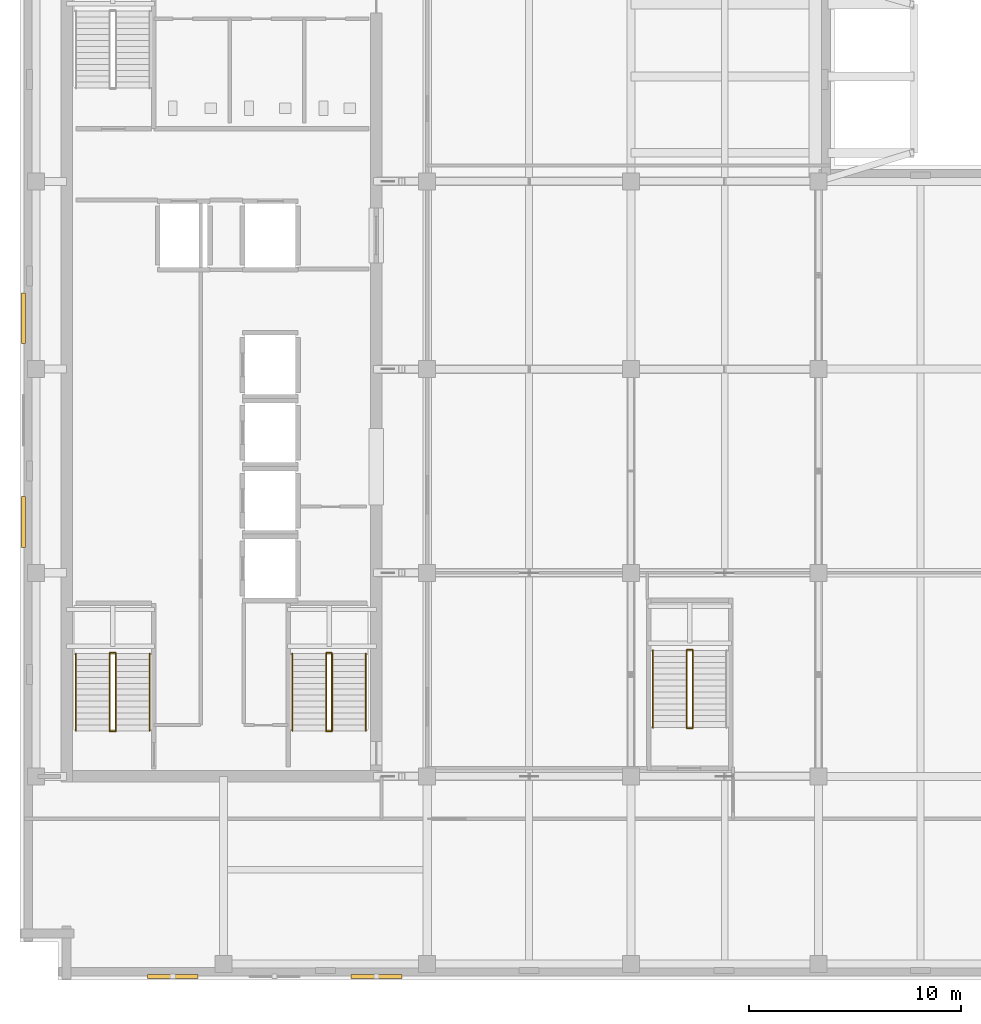
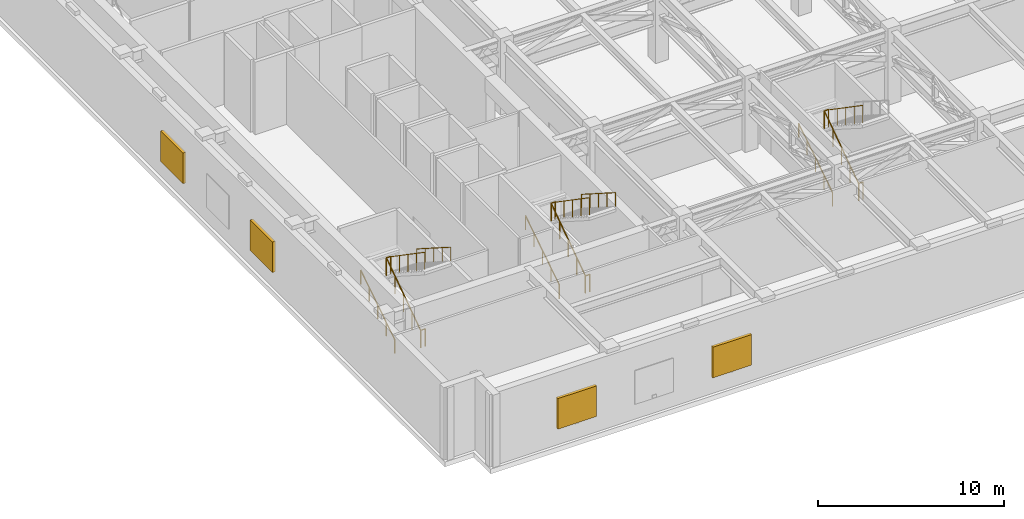
# One storey, part 16 of 19: 17 railings, 4 shading devices.
"""IFC4 building model written with IfcOpenShell, lengths in metres."""

from ifc_helpers import new_model, si_unit, direction, frame, origin, origin_2d, place, context, subcontext, project, spatial, rectangle, circle, extrude, material, layer, layer_set, type_object, element, save


model = new_model("IFC4")

# Units and contexts
model_context = context("Model", 3, precision=1e-05, world=origin(), true_north=direction((0.0, 1.0)))
body_context = subcontext(model_context, "Body", "Model", "MODEL_VIEW")
ifc_project = project(units=[si_unit("LENGTHUNIT", "METRE"), si_unit("AREAUNIT", "SQUARE_METRE"), si_unit("VOLUMEUNIT", "CUBIC_METRE"), si_unit("PLANEANGLEUNIT", "RADIAN"), si_unit("MASSUNIT", "GRAM", prefix="KILO")], contexts=[model_context])

# Site, building, storey
site_placement = place(None, origin())
site = spatial("IfcSite", under=ifc_project, at=site_placement, CompositionType="ELEMENT")
building_placement = place(site_placement, origin())
building = spatial("IfcBuilding", under=site, at=building_placement, Name="Norrvale University Quadrangle", CompositionType="ELEMENT")
storey_placement = place(building_placement, frame((0.0, 0.0, 256.0)))
storey = spatial("IfcBuildingStorey", under=building, at=storey_placement, Name="L65", CompositionType="ELEMENT", Elevation=256.0)

# Railings
ifc_material_1 = material(Name="Steel 350W Painted Balustrade", Category="steel")
railing_type_1 = type_object("IfcRailingType", Name="Railing Stair Guard 1100", PredefinedType="GUARDRAIL", material=ifc_material_1)
for number, where, name in (
    (1, (4.239990234375, 11.719970703125, 0.0), "Stair Floor Well Guard ST-01 L65"),
    (2, (4.239990234375, 15.419921875, 2.5), "Stair Mid-Landing Slot Guard ST-01 L65"),
):
    element("IfcRailing", number, at=place(storey_placement, frame(where)), inside=storey, type_object=railing_type_1, Name=name, PredefinedType="GUARDRAIL", context=body_context, shape_type="SweptSolid", body=[
        extrude(circle(Radius=0.02392578125, at=origin_2d()), frame((0.0, 0.0, 1.1259765625), z_axis=(1.0, 0.0, 0.0), x_axis=(0.0, 1.0, 0.0)), (0.0, 0.0, 1.0), 0.27001953125),
        extrude(circle(Radius=0.02099609375, at=origin_2d()), origin(), (0.0, 0.0, 1.0), 1.101806640625),
        extrude(circle(Radius=0.02099609375, at=origin_2d()), frame((0.27001953125, 0.0, 0.0)), (0.0, 0.0, 1.0), 1.101806640625),
    ])
railing_1_placement = place(storey_placement, frame((4.239990234375, 11.75, 0.0)))
element("IfcRailing", 3, at=railing_1_placement, inside=storey, type_object=railing_type_1, Name="Stair Lower Flight Inner Guard ST-01 L65", PredefinedType="GUARDRAIL", context=body_context, shape_type="SweptSolid", body=[
    extrude(circle(Radius=0.02392578125, at=origin_2d()), frame((0.0, 0.0, 1.1259765625), z_axis=(0.0, 0.824298337968, 0.566155676491), x_axis=(-1.0, 0.0, 0.0)), (0.0, 0.0, 1.0), 4.415771484375),
    extrude(circle(Radius=0.02099609375, at=origin_2d()), origin(), (0.0, 0.0, 1.0), 1.101806640625),
    extrude(circle(Radius=0.02099609375, at=origin_2d()), frame((0.0, 0.909912109375, 0.625)), (0.0, 0.0, 1.0), 1.101806640625),
    extrude(circle(Radius=0.02099609375, at=origin_2d()), frame((0.0, 1.81982421875, 1.25)), (0.0, 0.0, 1.0), 1.101806640625),
    extrude(circle(Radius=0.02099609375, at=origin_2d()), frame((0.0, 2.72998046875, 1.875)), (0.0, 0.0, 1.0), 1.101806640625),
    extrude(circle(Radius=0.02099609375, at=origin_2d()), frame((0.0, 3.639892578125, 2.5)), (0.0, 0.0, 1.0), 1.101806640625),
])
railing_2_placement = place(storey_placement, frame((4.510009765625, 15.389892578125, 2.5)))
element("IfcRailing", 4, at=railing_2_placement, inside=storey, type_object=railing_type_1, Name="Stair Upper Flight Inner Guard ST-01 L65", PredefinedType="GUARDRAIL", context=body_context, shape_type="SweptSolid", body=[
    extrude(circle(Radius=0.02392578125, at=origin_2d()), frame((0.0, 0.0, 1.1259765625), z_axis=(0.0, -0.824298337968, 0.566155676491), x_axis=(1.0, 0.0, 0.0)), (0.0, 0.0, 1.0), 4.415771484375),
    extrude(circle(Radius=0.02099609375, at=origin_2d()), origin(), (0.0, 0.0, 1.0), 1.101806640625),
    extrude(circle(Radius=0.02099609375, at=origin_2d()), frame((0.0, -0.909912109375, 0.625)), (0.0, 0.0, 1.0), 1.101806640625),
    extrude(circle(Radius=0.02099609375, at=origin_2d()), frame((0.0, -1.81982421875, 1.25)), (0.0, 0.0, 1.0), 1.101806640625),
    extrude(circle(Radius=0.02099609375, at=origin_2d()), frame((0.0, -2.72998046875, 1.875)), (0.0, 0.0, 1.0), 1.101806640625),
    extrude(circle(Radius=0.02099609375, at=origin_2d()), frame((0.0, -3.639892578125, 2.5)), (0.0, 0.0, 1.0), 1.101806640625),
])
for number, where, name in (
    (5, (14.43994140625, 11.719970703125, 0.0), "Stair Floor Well Guard ST-03 L65"),
    (6, (14.43994140625, 15.419921875, 2.5), "Stair Mid-Landing Slot Guard ST-03 L65"),
):
    element("IfcRailing", number, at=place(storey_placement, frame(where)), inside=storey, type_object=railing_type_1, Name=name, PredefinedType="GUARDRAIL", context=body_context, shape_type="SweptSolid", body=[
        extrude(circle(Radius=0.02392578125, at=origin_2d()), frame((0.0, 0.0, 1.1259765625), z_axis=(1.0, 0.0, 0.0), x_axis=(0.0, 1.0, 0.0)), (0.0, 0.0, 1.0), 0.27001953125),
        extrude(circle(Radius=0.02099609375, at=origin_2d()), origin(), (0.0, 0.0, 1.0), 1.101806640625),
        extrude(circle(Radius=0.02099609375, at=origin_2d()), frame((0.27001953125, 0.0, 0.0)), (0.0, 0.0, 1.0), 1.101806640625),
    ])
railing_3_placement = place(storey_placement, frame((14.43994140625, 11.75, 0.0)))
element("IfcRailing", 7, at=railing_3_placement, inside=storey, type_object=railing_type_1, Name="Stair Lower Flight Inner Guard ST-03 L65", PredefinedType="GUARDRAIL", context=body_context, shape_type="SweptSolid", body=[
    extrude(circle(Radius=0.02392578125, at=origin_2d()), frame((0.0, 0.0, 1.1259765625), z_axis=(0.0, 0.824298337968, 0.566155676491), x_axis=(-1.0, 0.0, 0.0)), (0.0, 0.0, 1.0), 4.415771484375),
    extrude(circle(Radius=0.02099609375, at=origin_2d()), origin(), (0.0, 0.0, 1.0), 1.101806640625),
    extrude(circle(Radius=0.02099609375, at=origin_2d()), frame((0.0, 0.909912109375, 0.625)), (0.0, 0.0, 1.0), 1.101806640625),
    extrude(circle(Radius=0.02099609375, at=origin_2d()), frame((0.0, 1.81982421875, 1.25)), (0.0, 0.0, 1.0), 1.101806640625),
    extrude(circle(Radius=0.02099609375, at=origin_2d()), frame((0.0, 2.72998046875, 1.875)), (0.0, 0.0, 1.0), 1.101806640625),
    extrude(circle(Radius=0.02099609375, at=origin_2d()), frame((0.0, 3.639892578125, 2.5)), (0.0, 0.0, 1.0), 1.101806640625),
])
railing_4_placement = place(storey_placement, frame((14.7099609375, 15.389892578125, 2.5)))
element("IfcRailing", 8, at=railing_4_placement, inside=storey, type_object=railing_type_1, Name="Stair Upper Flight Inner Guard ST-03 L65", PredefinedType="GUARDRAIL", context=body_context, shape_type="SweptSolid", body=[
    extrude(circle(Radius=0.02392578125, at=origin_2d()), frame((0.0, 0.0, 1.1259765625), z_axis=(0.0, -0.824298337968, 0.566155676491), x_axis=(1.0, 0.0, 0.0)), (0.0, 0.0, 1.0), 4.415771484375),
    extrude(circle(Radius=0.02099609375, at=origin_2d()), origin(), (0.0, 0.0, 1.0), 1.101806640625),
    extrude(circle(Radius=0.02099609375, at=origin_2d()), frame((0.0, -0.909912109375, 0.625)), (0.0, 0.0, 1.0), 1.101806640625),
    extrude(circle(Radius=0.02099609375, at=origin_2d()), frame((0.0, -1.81982421875, 1.25)), (0.0, 0.0, 1.0), 1.101806640625),
    extrude(circle(Radius=0.02099609375, at=origin_2d()), frame((0.0, -2.72998046875, 1.875)), (0.0, 0.0, 1.0), 1.101806640625),
    extrude(circle(Radius=0.02099609375, at=origin_2d()), frame((0.0, -3.639892578125, 2.5)), (0.0, 0.0, 1.0), 1.101806640625),
])
for number, where, name in (
    (9, (31.43994140625, 11.8701171875, 0.0), "Stair Floor Well Guard ST-04 L65"),
    (10, (31.43994140625, 15.570068359375, 2.5), "Stair Mid-Landing Slot Guard ST-04 L65"),
):
    element("IfcRailing", number, at=place(storey_placement, frame(where)), inside=storey, type_object=railing_type_1, Name=name, PredefinedType="GUARDRAIL", context=body_context, shape_type="SweptSolid", body=[
        extrude(circle(Radius=0.02392578125, at=origin_2d()), frame((0.0, 0.0, 1.1259765625), z_axis=(1.0, 0.0, 0.0), x_axis=(0.0, 1.0, 0.0)), (0.0, 0.0, 1.0), 0.27001953125),
        extrude(circle(Radius=0.02099609375, at=origin_2d()), origin(), (0.0, 0.0, 1.0), 1.101806640625),
        extrude(circle(Radius=0.02099609375, at=origin_2d()), frame((0.27001953125, 0.0, 0.0)), (0.0, 0.0, 1.0), 1.101806640625),
    ])
railing_5_placement = place(storey_placement, frame((31.43994140625, 11.89990234375, 0.0)))
element("IfcRailing", 11, at=railing_5_placement, inside=storey, type_object=railing_type_1, Name="Stair Lower Flight Inner Guard ST-04 L65", PredefinedType="GUARDRAIL", context=body_context, shape_type="SweptSolid", body=[
    extrude(circle(Radius=0.02392578125, at=origin_2d()), frame((0.0, 0.0, 1.1259765625), z_axis=(0.0, 0.824316058549, 0.566129875221), x_axis=(-1.0, 0.0, 0.0)), (0.0, 0.0, 1.0), 4.416015625),
    extrude(circle(Radius=0.02099609375, at=origin_2d()), origin(), (0.0, 0.0, 1.0), 1.101806640625),
    extrude(circle(Radius=0.02099609375, at=origin_2d()), frame((0.0, 0.91015625, 0.625)), (0.0, 0.0, 1.0), 1.101806640625),
    extrude(circle(Radius=0.02099609375, at=origin_2d()), frame((0.0, 1.820068359375, 1.25)), (0.0, 0.0, 1.0), 1.101806640625),
    extrude(circle(Radius=0.02099609375, at=origin_2d()), frame((0.0, 2.72998046875, 1.875)), (0.0, 0.0, 1.0), 1.101806640625),
    extrude(circle(Radius=0.02099609375, at=origin_2d()), frame((0.0, 3.64013671875, 2.5)), (0.0, 0.0, 1.0), 1.101806640625),
])
railing_6_placement = place(storey_placement, frame((31.7099609375, 15.5400390625, 2.5)))
element("IfcRailing", 12, at=railing_6_placement, inside=storey, type_object=railing_type_1, Name="Stair Upper Flight Inner Guard ST-04 L65", PredefinedType="GUARDRAIL", context=body_context, shape_type="SweptSolid", body=[
    extrude(circle(Radius=0.02392578125, at=origin_2d()), frame((0.0, 0.0, 1.1259765625), z_axis=(0.0, -0.824316058549, 0.566129875221), x_axis=(1.0, 0.0, 0.0)), (0.0, 0.0, 1.0), 4.416015625),
    extrude(circle(Radius=0.02099609375, at=origin_2d()), origin(), (0.0, 0.0, 1.0), 1.101806640625),
    extrude(circle(Radius=0.02099609375, at=origin_2d()), frame((0.0, -0.91015625, 0.625)), (0.0, 0.0, 1.0), 1.101806640625),
    extrude(circle(Radius=0.02099609375, at=origin_2d()), frame((0.0, -1.820068359375, 1.25)), (0.0, 0.0, 1.0), 1.101806640625),
    extrude(circle(Radius=0.02099609375, at=origin_2d()), frame((0.0, -2.72998046875, 1.875)), (0.0, 0.0, 1.0), 1.101806640625),
    extrude(circle(Radius=0.02099609375, at=origin_2d()), frame((0.0, -3.64013671875, 2.5)), (0.0, 0.0, 1.0), 1.101806640625),
])
ifc_material_2 = material(Name="Stainless Steel 316L Handrail", Category="steel")
railing_type_2 = type_object("IfcRailingType", Name="Railing Stair Handrail 920", PredefinedType="HANDRAIL", material=ifc_material_2)
railing_7_placement = place(storey_placement, frame((2.639892578125, 11.75, 0.1787109375)))
element("IfcRailing", 13, at=railing_7_placement, inside=storey, type_object=railing_type_2, Name="Stair Lower Flight Handrail ST-01 L65", PredefinedType="HANDRAIL", context=body_context, shape_type="SweptSolid", body=[
    extrude(circle(Radius=0.02392578125, at=origin_2d()), frame((0.0, 0.0, 0.89599609375), z_axis=(0.0, 0.843137146238, 0.537698570422), x_axis=(-1.0, 0.0, 0.0)), (0.0, 0.0, 1.0), 4.317138671875),
    extrude(circle(Radius=0.02099609375, at=origin_2d()), origin(), (0.0, 0.0, 1.0), 0.871826171875),
    extrude(circle(Radius=0.02099609375, at=origin_2d()), frame((0.0, 0.909912109375, 0.580322265625)), (0.0, 0.0, 1.0), 0.871826171875),
    extrude(circle(Radius=0.02099609375, at=origin_2d()), frame((0.0, 1.81982421875, 1.16064453125)), (0.0, 0.0, 1.0), 0.871826171875),
    extrude(circle(Radius=0.02099609375, at=origin_2d()), frame((0.0, 2.72998046875, 1.740966796875)), (0.0, 0.0, 1.0), 0.871826171875),
    extrude(circle(Radius=0.02099609375, at=origin_2d()), frame((0.0, 3.639892578125, 2.3212890625)), (0.0, 0.0, 1.0), 0.871826171875),
])
railing_8_placement = place(storey_placement, frame((6.110107421875, 15.389892578125, 2.6787109375)))
element("IfcRailing", 14, at=railing_8_placement, inside=storey, type_object=railing_type_2, Name="Stair Upper Flight Handrail ST-01 L65", PredefinedType="HANDRAIL", context=body_context, shape_type="SweptSolid", body=[
    extrude(circle(Radius=0.02392578125, at=origin_2d()), frame((0.0, 0.0, 0.89599609375), z_axis=(0.0, -0.843137146238, 0.537698570422), x_axis=(1.0, 0.0, 0.0)), (0.0, 0.0, 1.0), 4.317138671875),
    extrude(circle(Radius=0.02099609375, at=origin_2d()), origin(), (0.0, 0.0, 1.0), 0.871826171875),
    extrude(circle(Radius=0.02099609375, at=origin_2d()), frame((0.0, -0.909912109375, 0.580322265625)), (0.0, 0.0, 1.0), 0.871826171875),
    extrude(circle(Radius=0.02099609375, at=origin_2d()), frame((0.0, -1.81982421875, 1.16064453125)), (0.0, 0.0, 1.0), 0.871826171875),
    extrude(circle(Radius=0.02099609375, at=origin_2d()), frame((0.0, -2.72998046875, 1.740966796875)), (0.0, 0.0, 1.0), 0.871826171875),
    extrude(circle(Radius=0.02099609375, at=origin_2d()), frame((0.0, -3.639892578125, 2.3212890625)), (0.0, 0.0, 1.0), 0.871826171875),
])
railing_9_placement = place(storey_placement, frame((12.840087890625, 11.75, 0.1787109375)))
element("IfcRailing", 15, at=railing_9_placement, inside=storey, type_object=railing_type_2, Name="Stair Lower Flight Handrail ST-03 L65", PredefinedType="HANDRAIL", context=body_context, shape_type="SweptSolid", body=[
    extrude(circle(Radius=0.02392578125, at=origin_2d()), frame((0.0, 0.0, 0.89599609375), z_axis=(0.0, 0.843137146238, 0.537698570422), x_axis=(-1.0, 0.0, 0.0)), (0.0, 0.0, 1.0), 4.317138671875),
    extrude(circle(Radius=0.02099609375, at=origin_2d()), origin(), (0.0, 0.0, 1.0), 0.871826171875),
    extrude(circle(Radius=0.02099609375, at=origin_2d()), frame((0.0, 0.909912109375, 0.580322265625)), (0.0, 0.0, 1.0), 0.871826171875),
    extrude(circle(Radius=0.02099609375, at=origin_2d()), frame((0.0, 1.81982421875, 1.16064453125)), (0.0, 0.0, 1.0), 0.871826171875),
    extrude(circle(Radius=0.02099609375, at=origin_2d()), frame((0.0, 2.72998046875, 1.740966796875)), (0.0, 0.0, 1.0), 0.871826171875),
    extrude(circle(Radius=0.02099609375, at=origin_2d()), frame((0.0, 3.639892578125, 2.3212890625)), (0.0, 0.0, 1.0), 0.871826171875),
])
railing_10_placement = place(storey_placement, frame((16.31005859375, 15.389892578125, 2.6787109375)))
element("IfcRailing", 16, at=railing_10_placement, inside=storey, type_object=railing_type_2, Name="Stair Upper Flight Handrail ST-03 L65", PredefinedType="HANDRAIL", context=body_context, shape_type="SweptSolid", body=[
    extrude(circle(Radius=0.02392578125, at=origin_2d()), frame((0.0, 0.0, 0.89599609375), z_axis=(0.0, -0.843137146238, 0.537698570422), x_axis=(1.0, 0.0, 0.0)), (0.0, 0.0, 1.0), 4.317138671875),
    extrude(circle(Radius=0.02099609375, at=origin_2d()), origin(), (0.0, 0.0, 1.0), 0.871826171875),
    extrude(circle(Radius=0.02099609375, at=origin_2d()), frame((0.0, -0.909912109375, 0.580322265625)), (0.0, 0.0, 1.0), 0.871826171875),
    extrude(circle(Radius=0.02099609375, at=origin_2d()), frame((0.0, -1.81982421875, 1.16064453125)), (0.0, 0.0, 1.0), 0.871826171875),
    extrude(circle(Radius=0.02099609375, at=origin_2d()), frame((0.0, -2.72998046875, 1.740966796875)), (0.0, 0.0, 1.0), 0.871826171875),
    extrude(circle(Radius=0.02099609375, at=origin_2d()), frame((0.0, -3.639892578125, 2.3212890625)), (0.0, 0.0, 1.0), 0.871826171875),
])
railing_11_placement = place(storey_placement, frame((29.840087890625, 11.89990234375, 0.1787109375)))
element("IfcRailing", 17, at=railing_11_placement, inside=storey, type_object=railing_type_2, Name="Stair Lower Flight Handrail ST-04 L65", PredefinedType="HANDRAIL", context=body_context, shape_type="SweptSolid", body=[
    extrude(circle(Radius=0.02392578125, at=origin_2d()), frame((0.0, 0.0, 0.89599609375), z_axis=(0.0, 0.843153495434, 0.537672933239), x_axis=(-1.0, 0.0, 0.0)), (0.0, 0.0, 1.0), 4.3173828125),
    extrude(circle(Radius=0.02099609375, at=origin_2d()), origin(), (0.0, 0.0, 1.0), 0.871826171875),
    extrude(circle(Radius=0.02099609375, at=origin_2d()), frame((0.0, 0.91015625, 0.580322265625)), (0.0, 0.0, 1.0), 0.871826171875),
    extrude(circle(Radius=0.02099609375, at=origin_2d()), frame((0.0, 1.820068359375, 1.16064453125)), (0.0, 0.0, 1.0), 0.871826171875),
    extrude(circle(Radius=0.02099609375, at=origin_2d()), frame((0.0, 2.72998046875, 1.740966796875)), (0.0, 0.0, 1.0), 0.871826171875),
    extrude(circle(Radius=0.02099609375, at=origin_2d()), frame((0.0, 3.64013671875, 2.3212890625)), (0.0, 0.0, 1.0), 0.871826171875),
])

# Shading devices
ifc_material_3 = material(Name="Anodized Aluminium 6063-T6", Category="aluminium")
ifc_layer = layer(ifc_material_3, 0.179931640625, Name="Anodized Aluminium 6063-T6")
ifc_layer_set = layer_set([ifc_layer], Name="Anodized Aluminium 6063-T6")
shading_device_type = type_object("IfcShadingDeviceType", Name="Shade Louvre 180", PredefinedType="JALOUSIE", material=ifc_layer_set)
for number, where, z_axis, x_axis, name in (
    (18, (7.199951171875, 0.159912109375, 1.10009765625), (0.0, 0.0, 1.0), (1.0, 0.0, 0.0), "Plant Intake Weather Louvre 015"),
    (19, (16.800048828125, 0.159912109375, 1.10009765625), (0.0, 0.0, 1.0), (1.0, 0.0, 0.0), "Plant Intake Weather Louvre 016"),
    (20, (0.159912109375, 31.199951171875, 1.10009765625), (0.0, 0.0, 1.0), (0.0, -1.0, 0.0), "Plant Intake Weather Louvre 020"),
    (21, (0.159912109375, 21.60009765625, 1.10009765625), (0.0, 0.0, 1.0), (0.0, -1.0, 0.0), "Plant Intake Weather Louvre 021"),
):
    element("IfcShadingDevice", number, at=place(storey_placement, frame(where, z_axis=z_axis, x_axis=x_axis)), inside=storey, type_object=shading_device_type, Name=name, PredefinedType="JALOUSIE", context=body_context, shape_type="SweptSolid", body=[
        extrude(rectangle(XDim=2.39990234375, YDim=0.179931640625, at=origin_2d()), origin(), (0.0, 0.0, 1.0), 2.0),
    ])

save(model, "model.ifc")
